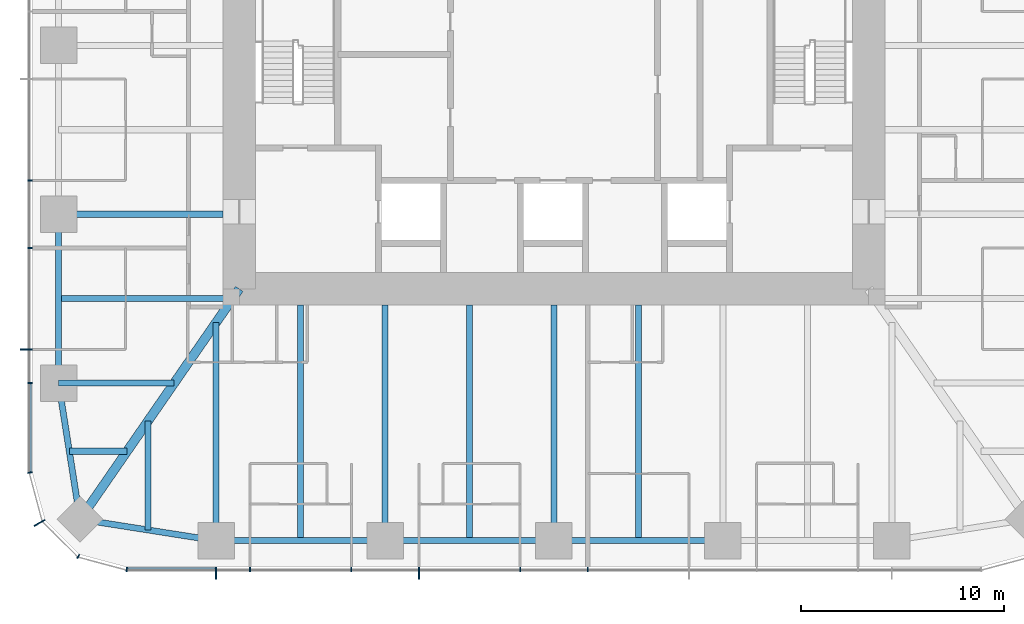
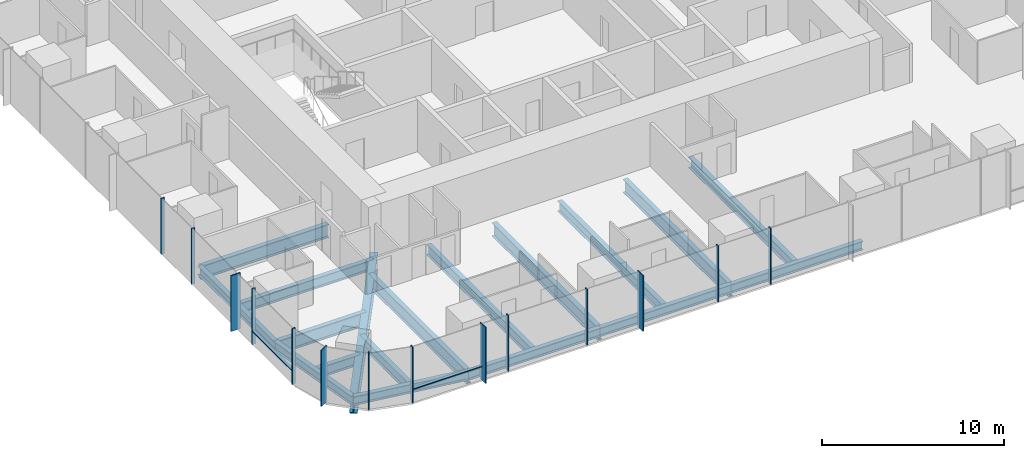
# One storey, part 2 of 13: 18 beams, 16 members, 3 elements without a shape of their own.
"""IFC4 building model written with IfcOpenShell, lengths in metres."""

from ifc_helpers import new_model, si_unit, direction, frame, origin, origin_2d, place, context, subcontext, project, spatial, rectangle, i_section, extrude, material, material_profile, profile_set, type_object, element, aggregate, save


model = new_model("IFC4")

# Units and contexts
model_context = context("Model", 3, precision=1e-05, world=origin(), true_north=direction((0.0, 1.0)))
body_context = subcontext(model_context, "Body", "Model", "MODEL_VIEW")
ifc_project = project(units=[si_unit("LENGTHUNIT", "METRE"), si_unit("AREAUNIT", "SQUARE_METRE"), si_unit("VOLUMEUNIT", "CUBIC_METRE"), si_unit("PLANEANGLEUNIT", "RADIAN"), si_unit("MASSUNIT", "GRAM", prefix="KILO")], contexts=[model_context])

# Site, building, storey
site_placement = place(None, origin())
site = spatial("IfcSite", under=ifc_project, at=site_placement, CompositionType="ELEMENT")
building_placement = place(site_placement, origin())
building = spatial("IfcBuilding", under=site, at=building_placement, Name="Khuree Lantern Residences", CompositionType="ELEMENT")
storey_placement = place(building_placement, frame((0.0, 0.0, 248.25)))
storey = spatial("IfcBuildingStorey", under=building, at=storey_placement, Name="L62", CompositionType="ELEMENT", Elevation=248.25)

# Beams
ifc_material_1 = material(Name="Steel S355", Category="steel")
ifc_material_profile_1 = material_profile(ifc_material_1, i_section(OverallWidth=0.300048828125, OverallDepth=0.68994140625, WebThickness=0.014404296875, FlangeThickness=0.027099609375, FilletRadius=0.027099609375, at=origin_2d()), Name="HE 700 A")
ifc_profile_set_1 = profile_set([ifc_material_profile_1], Name="Steel S355")
beam_type_1 = type_object("IfcBeamType", Name="B-34 SECONDARY BEAM HE 700 A", PredefinedType="BEAM", material=ifc_profile_set_1)
for number, where, z_axis, x_axis, name in (
    (1, (4.159912109375, -24.39990234375, -0.594970703125), (0.0, 1.0, 0.0), (-1.0, 0.0, 0.0), "Secondary beam S3"),
    (2, (-4.159912109375, -24.39990234375, -0.594970703125), (0.0, 1.0, 0.0), (-1.0, 0.0, 0.0), "Secondary beam S4"),
    (3, (-12.47998046875, -24.39990234375, -0.594970703125), (0.0, 1.0, 0.0), (-1.0, 0.0, 0.0), "Secondary beam S5"),
):
    element("IfcBeam", number, at=place(storey_placement, frame(where, z_axis=z_axis, x_axis=x_axis)), inside=storey, type_object=beam_type_1, Name=name, PredefinedType="BEAM", context=body_context, shape_type="SweptSolid", body=[
        extrude(i_section(OverallWidth=0.300048828125, OverallDepth=0.68994140625, WebThickness=0.014404296875, FlangeThickness=0.027099609375, FilletRadius=0.027099609375, at=origin_2d()), origin(), (0.0, 0.0, 1.0), 11.599853515625),
    ])
beam_1_placement = place(storey_placement, frame((-19.992919921875, -23.872802734375, -0.594970703125), z_axis=(0.0, 1.0, 0.0), x_axis=(-1.0, 0.0, 0.0)))
element("IfcBeam", 4, at=beam_1_placement, inside=storey, type_object=beam_type_1, Name="Secondary beam S6", PredefinedType="BEAM", context=body_context, shape_type="SweptSolid", body=[
    extrude(i_section(OverallWidth=0.300048828125, OverallDepth=0.68994140625, WebThickness=0.014404296875, FlangeThickness=0.027099609375, FilletRadius=0.027099609375, at=origin_2d()), origin(), (0.0, 0.0, 1.0), 5.375732421875),
])
beam_2_placement = place(storey_placement, frame((-23.872802734375, -19.992919921875, -0.594970703125), z_axis=(1.0, 0.0, 0.0), x_axis=(0.0, 1.0, 0.0)))
element("IfcBeam", 5, at=beam_2_placement, inside=storey, type_object=beam_type_1, Name="Secondary beam W1", PredefinedType="BEAM", context=body_context, shape_type="SweptSolid", body=[
    extrude(i_section(OverallWidth=0.300048828125, OverallDepth=0.68994140625, WebThickness=0.014404296875, FlangeThickness=0.027099609375, FilletRadius=0.027099609375, at=origin_2d()), origin(), (0.0, 0.0, 1.0), 2.845703125),
])
beam_3_placement = place(storey_placement, frame((-24.39990234375, -12.47998046875, -0.594970703125), z_axis=(1.0, 0.0, 0.0), x_axis=(0.0, 1.0, 0.0)))
element("IfcBeam", 6, at=beam_3_placement, inside=storey, type_object=beam_type_1, Name="Secondary beam W2", PredefinedType="BEAM", context=body_context, shape_type="SweptSolid", body=[
    extrude(i_section(OverallWidth=0.300048828125, OverallDepth=0.68994140625, WebThickness=0.014404296875, FlangeThickness=0.027099609375, FilletRadius=0.027099609375, at=origin_2d()), origin(), (0.0, 0.0, 1.0), 8.56787109375),
])
ifc_material_profile_2 = material_profile(ifc_material_1, i_section(OverallWidth=0.300048828125, OverallDepth=0.590087890625, WebThickness=0.012939453125, FlangeThickness=0.02490234375, FilletRadius=0.027099609375, at=origin_2d()), Name="HE 600 A")
ifc_profile_set_2 = profile_set([ifc_material_profile_2], Name="Steel S355")
beam_type_2 = type_object("IfcBeamType", Name="E-34 SPANDREL BEAM HE 600 A", PredefinedType="SPANDREL", material=ifc_profile_set_2)
for number, where, z_axis, x_axis, name in (
    (7, (8.320068359375, -24.39990234375, -0.544921875), (-1.0, 0.0, 0.0), (0.0, -1.0, 0.0), "Spandrel beam S3"),
    (8, (0.0, -24.39990234375, -0.544921875), (-1.0, 0.0, 0.0), (0.0, -1.0, 0.0), "Spandrel beam S4"),
):
    element("IfcBeam", number, at=place(storey_placement, frame(where, z_axis=z_axis, x_axis=x_axis)), inside=storey, type_object=beam_type_2, Name=name, PredefinedType="SPANDREL", context=body_context, shape_type="SweptSolid", body=[
        extrude(i_section(OverallWidth=0.300048828125, OverallDepth=0.590087890625, WebThickness=0.012939453125, FlangeThickness=0.02490234375, FilletRadius=0.027099609375, at=origin_2d()), origin(), (0.0, 0.0, 1.0), 8.320068359375),
    ])
beam_4_placement = place(storey_placement, frame((-8.320068359375, -24.39990234375, -0.544921875), z_axis=(-1.0, 0.0, 0.0), x_axis=(0.0, -1.0, 0.0)))
element("IfcBeam", 9, at=beam_4_placement, inside=storey, type_object=beam_type_2, Name="Spandrel beam S5", PredefinedType="SPANDREL", context=body_context, shape_type="SweptSolid", body=[
    extrude(i_section(OverallWidth=0.300048828125, OverallDepth=0.590087890625, WebThickness=0.012939453125, FlangeThickness=0.02490234375, FilletRadius=0.027099609375, at=origin_2d()), origin(), (0.0, 0.0, 1.0), 8.31982421875),
])
for number, where, z_axis, x_axis, name in (
    (10, (-16.639892578125, -24.39990234375, -0.544921875), (-0.98786743189, 0.155299507442, 0.0), (-0.155299507442, -0.98786743189, 0.0), "Spandrel beam S6"),
    (11, (-23.345703125, -23.345703125, -0.544921875), (-0.155299507442, 0.98786743189, 0.0), (-0.98786743189, -0.155299507442, 0.0), "Spandrel beam W1"),
):
    element("IfcBeam", number, at=place(storey_placement, frame(where, z_axis=z_axis, x_axis=x_axis)), inside=storey, type_object=beam_type_2, Name=name, PredefinedType="SPANDREL", context=body_context, shape_type="SweptSolid", body=[
        extrude(i_section(OverallWidth=0.300048828125, OverallDepth=0.590087890625, WebThickness=0.012939453125, FlangeThickness=0.02490234375, FilletRadius=0.027099609375, at=origin_2d()), origin(), (0.0, 0.0, 1.0), 6.7880859375),
    ])
beam_5_placement = place(storey_placement, frame((-24.39990234375, -16.639892578125, -0.544921875), z_axis=(0.0, 1.0, 0.0), x_axis=(-1.0, 0.0, 0.0)))
element("IfcBeam", 12, at=beam_5_placement, inside=storey, type_object=beam_type_2, Name="Spandrel beam W2", PredefinedType="SPANDREL", context=body_context, shape_type="SweptSolid", body=[
    extrude(i_section(OverallWidth=0.300048828125, OverallDepth=0.590087890625, WebThickness=0.012939453125, FlangeThickness=0.02490234375, FilletRadius=0.027099609375, at=origin_2d()), origin(), (0.0, 0.0, 1.0), 8.31982421875),
])

# Curtain wall, member
ifc_material_2 = material(Name="Bronze anodised aluminium", Category="aluminium")
curtain_wall_type_1 = type_object("IfcCurtainWallType", Name="CW-T1 TOWER FACE CURTAIN WALL", PredefinedType="USERDEFINED", material=ifc_material_2)
curtain_wall_1_placement = place(storey_placement, origin())
curtain_wall_1 = element("IfcCurtainWall", 13, at=curtain_wall_1_placement, inside=storey, type_object=curtain_wall_type_1, Name="L62 WEST FACE CURTAIN WALL", ObjectType="Stick-built curtain wall", PredefinedType="USERDEFINED")
ifc_material_profile_3 = material_profile(ifc_material_2, rectangle(XDim=0.06494140625, YDim=0.60009765625, at=origin_2d()), Name="F1 65X600")
ifc_profile_set_3 = profile_set([ifc_material_profile_3], Name="Bronze anodised aluminium")
member_type_1 = type_object("IfcMemberType", Name="F1 BRONZE FIN MULLION TOWER 65X600", PredefinedType="MULLION", material=ifc_profile_set_3)
member_1_placement = place(storey_placement, frame((-26.0, -14.97607421875, 0.0), z_axis=(0.0, 0.0, 1.0), x_axis=(0.0, -1.0, 0.0)))
member_1 = element("IfcMember", 14, at=member_1_placement, type_object=member_type_1, Name="L62 WEST FACE FIN MULLION 41", PredefinedType="MULLION", context=body_context, shape_type="SweptSolid", body=[
    extrude(rectangle(XDim=0.06494140625, YDim=0.60009765625, at=origin_2d()), origin(), (0.0, 0.0, 1.0), 3.75),
])

curtain_wall_type_2 = type_object("IfcCurtainWallType", Name="CW-T2 TOWER CORNER CURTAIN WALL", PredefinedType="USERDEFINED", material=ifc_material_2)
curtain_wall_2_placement = place(storey_placement, origin())
curtain_wall_2 = element("IfcCurtainWall", 15, at=curtain_wall_2_placement, inside=storey, type_object=curtain_wall_type_2, Name="L62 SOUTH-WEST CORNER CURTAIN WALL", ObjectType="Faceted corner curtain wall", PredefinedType="USERDEFINED")
member_2_placement = place(storey_placement, frame((-25.3369140625, -23.52490234375, 0.0), z_axis=(0.0, 0.0, 1.0), x_axis=(0.499999989586, -0.866025409797, 0.0)))
member_2 = element("IfcMember", 16, at=member_2_placement, type_object=member_type_1, Name="L62 SOUTH-WEST CORNER FIN MULLION 44", PredefinedType="MULLION", context=body_context, shape_type="SweptSolid", body=[
    extrude(rectangle(XDim=0.06494140625, YDim=0.60009765625, at=origin_2d()), origin(), (0.0, 0.0, 1.0), 3.75),
])

# Curtain wall, members
curtain_wall_3_placement = place(storey_placement, origin())
curtain_wall_3 = element("IfcCurtainWall", 17, at=curtain_wall_3_placement, inside=storey, type_object=curtain_wall_type_1, Name="L62 SOUTH FACE CURTAIN WALL", ObjectType="Stick-built curtain wall", PredefinedType="USERDEFINED")
member_3_placement = place(storey_placement, frame((-16.639892578125, -26.0, 0.0), z_axis=(0.0, 0.0, 1.0), x_axis=(1.0, 0.0, 0.0)))
member_3 = element("IfcMember", 18, at=member_3_placement, type_object=member_type_1, Name="L62 SOUTH FACE FIN MULLION 47", PredefinedType="MULLION", context=body_context, shape_type="SweptSolid", body=[
    extrude(rectangle(XDim=0.06494140625, YDim=0.60009765625, at=origin_2d()), origin(), (0.0, 0.0, 1.0), 3.75),
])
member_4_placement = place(storey_placement, frame((-6.656005859375, -26.0, 0.0), z_axis=(0.0, 0.0, 1.0), x_axis=(1.0, 0.0, 0.0)))
member_4 = element("IfcMember", 19, at=member_4_placement, type_object=member_type_1, Name="L62 SOUTH FACE FIN MULLION 50", PredefinedType="MULLION", context=body_context, shape_type="SweptSolid", body=[
    extrude(rectangle(XDim=0.06494140625, YDim=0.60009765625, at=origin_2d()), origin(), (0.0, 0.0, 1.0), 3.75),
])

# Beams
ifc_material_profile_4 = material_profile(ifc_material_1, i_section(OverallWidth=0.300048828125, OverallDepth=0.89990234375, WebThickness=0.0185546875, FlangeThickness=0.034912109375, FilletRadius=0.030029296875, at=origin_2d()), Name="HE 900 B")
ifc_profile_set_4 = profile_set([ifc_material_profile_4], Name="Steel S355")
beam_type_3 = type_object("IfcBeamType", Name="G-34 GIRDER HE 900 B", PredefinedType="BEAM", material=ifc_profile_set_4)
for number, where, z_axis, x_axis, name in (
    (20, (0.0, -24.39990234375, -0.699951171875), (0.0, 1.0, 0.0), (-1.0, 0.0, 0.0), "Girder S3"),
    (21, (-8.320068359375, -24.39990234375, -0.699951171875), (0.0, 1.0, 0.0), (-1.0, 0.0, 0.0), "Girder S4"),
):
    element("IfcBeam", number, at=place(storey_placement, frame(where, z_axis=z_axis, x_axis=x_axis)), inside=storey, type_object=beam_type_3, Name=name, PredefinedType="BEAM", context=body_context, shape_type="SweptSolid", body=[
        extrude(i_section(OverallWidth=0.300048828125, OverallDepth=0.89990234375, WebThickness=0.0185546875, FlangeThickness=0.034912109375, FilletRadius=0.030029296875, at=origin_2d()), origin(), (0.0, 0.0, 1.0), 11.599853515625),
    ])
beam_6_placement = place(storey_placement, frame((-16.639892578125, -24.39990234375, -0.699951171875), z_axis=(0.0, 1.0, 0.0), x_axis=(-1.0, 0.0, 0.0)))
element("IfcBeam", 22, at=beam_6_placement, inside=storey, type_object=beam_type_3, Name="Girder S5", PredefinedType="BEAM", context=body_context, shape_type="SweptSolid", body=[
    extrude(i_section(OverallWidth=0.300048828125, OverallDepth=0.89990234375, WebThickness=0.0185546875, FlangeThickness=0.034912109375, FilletRadius=0.030029296875, at=origin_2d()), origin(), (0.0, 0.0, 1.0), 10.751220703125),
])
beam_7_placement = place(storey_placement, frame((-24.39990234375, -16.639892578125, -0.699951171875), z_axis=(1.0, 0.0, 0.0), x_axis=(0.0, 1.0, 0.0)))
element("IfcBeam", 23, at=beam_7_placement, inside=storey, type_object=beam_type_3, Name="Girder W1", PredefinedType="BEAM", context=body_context, shape_type="SweptSolid", body=[
    extrude(i_section(OverallWidth=0.300048828125, OverallDepth=0.89990234375, WebThickness=0.0185546875, FlangeThickness=0.034912109375, FilletRadius=0.030029296875, at=origin_2d()), origin(), (0.0, 0.0, 1.0), 5.69140625),
])
beam_8_placement = place(storey_placement, frame((-24.39990234375, -8.320068359375, -0.699951171875), z_axis=(1.0, 0.0, 0.0), x_axis=(0.0, 1.0, 0.0)))
element("IfcBeam", 24, at=beam_8_placement, inside=storey, type_object=beam_type_3, Name="Girder W2", PredefinedType="BEAM", context=body_context, shape_type="SweptSolid", body=[
    extrude(i_section(OverallWidth=0.300048828125, OverallDepth=0.89990234375, WebThickness=0.0185546875, FlangeThickness=0.034912109375, FilletRadius=0.030029296875, at=origin_2d()), origin(), (0.0, 0.0, 1.0), 8.099853515625),
])
ifc_material_profile_5 = material_profile(ifc_material_1, i_section(OverallWidth=0.449951171875, OverallDepth=1.199951171875, WebThickness=0.02490234375, FlangeThickness=0.044921875, at=origin_2d()), Name="WELDED I 1200X450X25X45")
ifc_profile_set_5 = profile_set([ifc_material_profile_5], Name="Steel S355")
beam_type_4 = type_object("IfcBeamType", Name="GD-34 CORNER GIRDER WELDED I 1200X450X25X45", PredefinedType="BEAM", material=ifc_profile_set_5)
beam_9_placement = place(storey_placement, frame((-23.345703125, -23.345703125, -0.85009765625), z_axis=(0.56876813501, 0.822497907959, 0.0), x_axis=(-0.822497907959, 0.56876813501, 0.0)))
element("IfcBeam", 25, at=beam_9_placement, inside=storey, type_object=beam_type_4, Name="Corner girder SW", PredefinedType="BEAM", context=body_context, shape_type="SweptSolid", body=[
    extrude(i_section(OverallWidth=0.449951171875, OverallDepth=1.199951171875, WebThickness=0.02490234375, FlangeThickness=0.044921875, at=origin_2d()), origin(), (0.0, 0.0, 1.0), 13.794189453125),
])

# Member
ifc_material_profile_6 = material_profile(ifc_material_2, rectangle(XDim=0.06494140625, YDim=0.219970703125, at=origin_2d()), Name="M1 65X220")
ifc_profile_set_6 = profile_set([ifc_material_profile_6], Name="Bronze anodised aluminium")
member_type_2 = type_object("IfcMemberType", Name="M1 BRONZE MULLION TOWER 65X220", PredefinedType="MULLION", material=ifc_profile_set_6)
member_5_placement = place(storey_placement, frame((-25.81005859375, -6.656005859375, 0.0), z_axis=(0.0, 0.0, 1.0), x_axis=(0.0, -1.0, 0.0)))
member_5 = element("IfcMember", 26, at=member_5_placement, type_object=member_type_2, Name="L62 WEST FACE MULLION 39", PredefinedType="MULLION", context=body_context, shape_type="SweptSolid", body=[
    extrude(rectangle(XDim=0.06494140625, YDim=0.219970703125, at=origin_2d()), origin(), (0.0, 0.0, 1.0), 3.75),
])

member_6_placement = place(storey_placement, frame((-25.81005859375, -9.98388671875, 0.0), z_axis=(0.0, 0.0, 1.0), x_axis=(0.0, -1.0, 0.0)))
member_6 = element("IfcMember", 27, at=member_6_placement, type_object=member_type_2, Name="L62 WEST FACE MULLION 40", PredefinedType="MULLION", context=body_context, shape_type="SweptSolid", body=[
    extrude(rectangle(XDim=0.06494140625, YDim=0.219970703125, at=origin_2d()), origin(), (0.0, 0.0, 1.0), 3.75),
])

member_7_placement = place(storey_placement, frame((-25.81005859375, -16.639892578125, 0.0), z_axis=(0.0, 0.0, 1.0), x_axis=(0.0, -1.0, 0.0)))
member_7 = element("IfcMember", 28, at=member_7_placement, type_object=member_type_2, Name="L62 WEST FACE MULLION 42", PredefinedType="MULLION", context=body_context, shape_type="SweptSolid", body=[
    extrude(rectangle(XDim=0.06494140625, YDim=0.219970703125, at=origin_2d()), origin(), (0.0, 0.0, 1.0), 3.75),
])

member_8_placement = place(storey_placement, frame((-25.811767578125, -21.044921875, 0.0), z_axis=(0.0, 0.0, 1.0), x_axis=(0.130526180298, -0.991444862943, 0.0)))
member_8 = element("IfcMember", 29, at=member_8_placement, type_object=member_type_2, Name="L62 SOUTH-WEST CORNER MULLION 43", PredefinedType="MULLION", context=body_context, shape_type="SweptSolid", body=[
    extrude(rectangle(XDim=0.06494140625, YDim=0.219970703125, at=origin_2d()), origin(), (0.0, 0.0, 1.0), 3.75),
])

member_9_placement = place(storey_placement, frame((-23.429931640625, -25.17236328125, 0.0), z_axis=(0.0, 0.0, 1.0), x_axis=(0.866025409797, -0.499999989586, 0.0)))
member_9 = element("IfcMember", 30, at=member_9_placement, type_object=member_type_2, Name="L62 SOUTH-WEST CORNER MULLION 45", PredefinedType="MULLION", context=body_context, shape_type="SweptSolid", body=[
    extrude(rectangle(XDim=0.06494140625, YDim=0.219970703125, at=origin_2d()), origin(), (0.0, 0.0, 1.0), 3.75),
])

aggregate(curtain_wall_2, [member_8, member_2, member_9])

member_10_placement = place(storey_placement, frame((-21.044921875, -25.811767578125, 0.0), z_axis=(0.0, 0.0, 1.0), x_axis=(0.991444862943, -0.130526180298, 0.0)))
member_10 = element("IfcMember", 31, at=member_10_placement, type_object=member_type_2, Name="L62 SOUTH FACE MULLION 46", PredefinedType="MULLION", context=body_context, shape_type="SweptSolid", body=[
    extrude(rectangle(XDim=0.06494140625, YDim=0.219970703125, at=origin_2d()), origin(), (0.0, 0.0, 1.0), 3.75),
])

member_11_placement = place(storey_placement, frame((-14.97607421875, -25.81005859375, 0.0), z_axis=(0.0, 0.0, 1.0), x_axis=(1.0, 0.0, 0.0)))
member_11 = element("IfcMember", 32, at=member_11_placement, type_object=member_type_2, Name="L62 SOUTH FACE MULLION 48", PredefinedType="MULLION", context=body_context, shape_type="SweptSolid", body=[
    extrude(rectangle(XDim=0.06494140625, YDim=0.219970703125, at=origin_2d()), origin(), (0.0, 0.0, 1.0), 3.75),
])

member_12_placement = place(storey_placement, frame((-9.98388671875, -25.81005859375, 0.0), z_axis=(0.0, 0.0, 1.0), x_axis=(1.0, 0.0, 0.0)))
member_12 = element("IfcMember", 33, at=member_12_placement, type_object=member_type_2, Name="L62 SOUTH FACE MULLION 49", PredefinedType="MULLION", context=body_context, shape_type="SweptSolid", body=[
    extrude(rectangle(XDim=0.06494140625, YDim=0.219970703125, at=origin_2d()), origin(), (0.0, 0.0, 1.0), 3.75),
])

member_13_placement = place(storey_placement, frame((-1.6640625, -25.81005859375, 0.0), z_axis=(0.0, 0.0, 1.0), x_axis=(1.0, 0.0, 0.0)))
member_13 = element("IfcMember", 34, at=member_13_placement, type_object=member_type_2, Name="L62 SOUTH FACE MULLION 51", PredefinedType="MULLION", context=body_context, shape_type="SweptSolid", body=[
    extrude(rectangle(XDim=0.06494140625, YDim=0.219970703125, at=origin_2d()), origin(), (0.0, 0.0, 1.0), 3.75),
])

member_14_placement = place(storey_placement, frame((1.6640625, -25.81005859375, 0.0), z_axis=(0.0, 0.0, 1.0), x_axis=(1.0, 0.0, 0.0)))
member_14 = element("IfcMember", 35, at=member_14_placement, type_object=member_type_2, Name="L62 SOUTH FACE MULLION 52", PredefinedType="MULLION", context=body_context, shape_type="SweptSolid", body=[
    extrude(rectangle(XDim=0.06494140625, YDim=0.219970703125, at=origin_2d()), origin(), (0.0, 0.0, 1.0), 3.75),
])

ifc_material_profile_7 = material_profile(ifc_material_2, rectangle(XDim=0.179931640625, YDim=0.06494140625, at=origin_2d()), Name="T1 180X65")
ifc_profile_set_7 = profile_set([ifc_material_profile_7], Name="Bronze anodised aluminium")
member_type_3 = type_object("IfcMemberType", Name="TRANSOM T1 TOWER 180X65", PredefinedType="USERDEFINED", material=ifc_profile_set_7)
member_15_placement = place(storey_placement, frame((-25.820068359375, -16.672607421875, 0.89990234375), z_axis=(0.0, -1.0, 0.0), x_axis=(1.0, 0.0, 0.0)))
member_15 = element("IfcMember", 36, at=member_15_placement, type_object=member_type_3, Name="L62 WEST FACE TRANSOM 42.1", ObjectType="Transom", PredefinedType="USERDEFINED", context=body_context, shape_type="SweptSolid", body=[
    extrude(rectangle(XDim=0.179931640625, YDim=0.06494140625, at=origin_2d()), origin(), (0.0, 0.0, 1.0), 4.328857421875),
])

aggregate(curtain_wall_1, [member_5, member_6, member_1, member_7, member_15])

member_16_placement = place(storey_placement, frame((-21.00146484375, -25.820068359375, 0.89990234375), z_axis=(1.0, 0.0, 0.0), x_axis=(0.0, 1.0, 0.0)))
member_16 = element("IfcMember", 37, at=member_16_placement, type_object=member_type_3, Name="L62 SOUTH FACE TRANSOM 46.1", ObjectType="Transom", PredefinedType="USERDEFINED", context=body_context, shape_type="SweptSolid", body=[
    extrude(rectangle(XDim=0.179931640625, YDim=0.06494140625, at=origin_2d()), origin(), (0.0, 0.0, 1.0), 4.328857421875),
])

aggregate(curtain_wall_3, [member_10, member_3, member_11, member_12, member_4, member_13, member_14, member_16])

save(model, "model.ifc")
